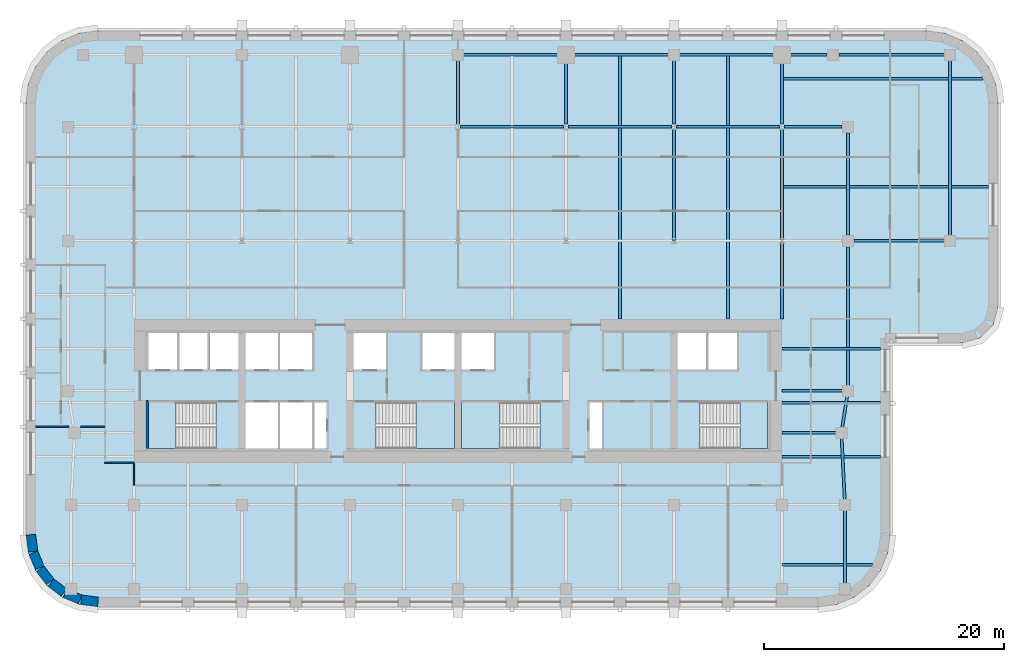
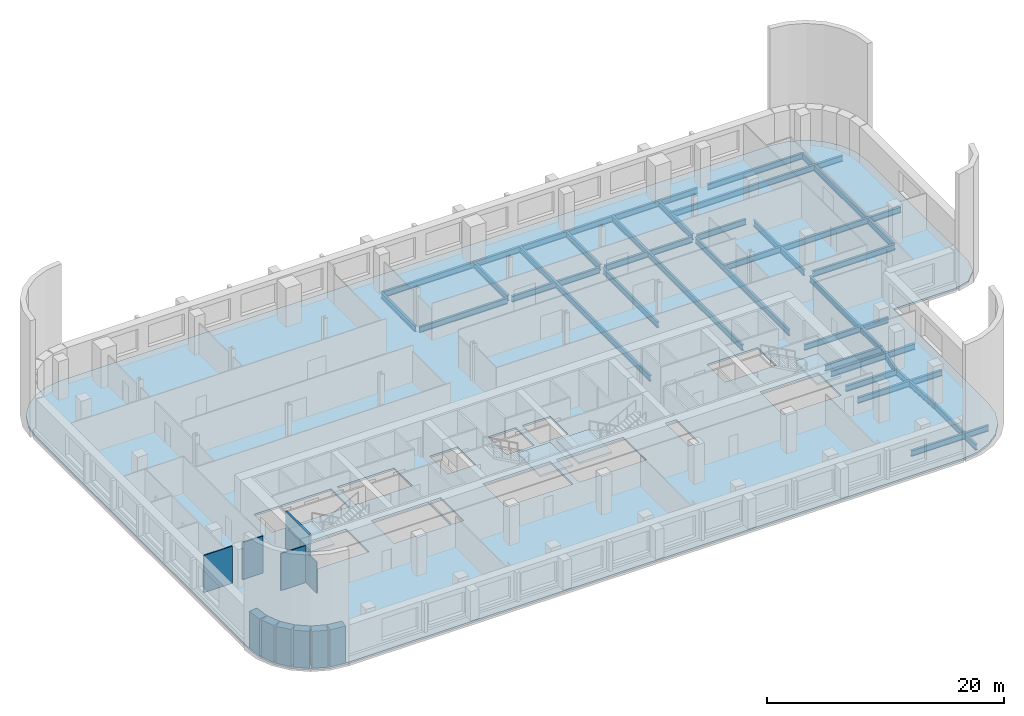
# One storey, part 2 of 10: 30 beams, 11 walls, 5 slabs, 4 elements without a shape of their own.
"""IFC4 building model written with IfcOpenShell, lengths in metres."""

from ifc_helpers import new_model, si_unit, direction, frame, frame_2d, origin, origin_2d, place, context, subcontext, project, spatial, polyline, rectangle, i_section, outline, extrude, material, layer, layer_set, material_profile, profile_set, type_object, element, aggregate, save


model = new_model("IFC4")

# Units and contexts
model_context = context("Model", 3, precision=1e-05, world=origin(), true_north=direction((0.0, 1.0)))
body_context = subcontext(model_context, "Body", "Model", "MODEL_VIEW")
ifc_project = project(units=[si_unit("LENGTHUNIT", "METRE"), si_unit("AREAUNIT", "SQUARE_METRE"), si_unit("VOLUMEUNIT", "CUBIC_METRE"), si_unit("PLANEANGLEUNIT", "RADIAN"), si_unit("MASSUNIT", "GRAM", prefix="KILO")], contexts=[model_context])

# Site, building, storey
site_placement = place(None, origin())
site = spatial("IfcSite", under=ifc_project, at=site_placement, CompositionType="ELEMENT")
building_placement = place(site_placement, origin())
building = spatial("IfcBuilding", under=site, at=building_placement, Name="Zellij Exchange Tower", CompositionType="ELEMENT")
storey_placement = place(building_placement, frame((0.0, 0.0, 120.5)))
storey = spatial("IfcBuildingStorey", under=building, at=storey_placement, Name="L26", CompositionType="ELEMENT", Elevation=120.5)

# Beams
ifc_material_1 = material(Name="Structural steel ASTM A992 Gr 50", Category="steel")
ifc_material_profile_1 = material_profile(ifc_material_1, i_section(OverallWidth=0.227783203125, OverallDepth=0.60205078125, WebThickness=0.010498046875, FlangeThickness=0.014892578125, at=origin_2d()), Name="W24x68")
ifc_profile_set_1 = profile_set([ifc_material_profile_1], Name="Structural steel ASTM A992 Gr 50")
beam_type_1 = type_object("IfcBeamType", Name="STR-BEAM W24x68", PredefinedType="BEAM", material=ifc_profile_set_1)
for number, where, z_axis, x_axis, name in (
    (1, (13.5, -2.0, -0.5009765625), (0.0, 1.0, 0.0), (-1.0, 0.0, 0.0), "B5"),
    (2, (22.5, -2.0, -0.5009765625), (0.0, 1.0, 0.0), (-1.0, 0.0, 0.0), "B5"),
):
    element("IfcBeam", number, at=place(storey_placement, frame(where, z_axis=z_axis, x_axis=x_axis)), inside=storey, type_object=beam_type_1, Name=name, PredefinedType="BEAM", context=body_context, shape_type="SweptSolid", body=[
        extrude(i_section(OverallWidth=0.227783203125, OverallDepth=0.60205078125, WebThickness=0.010498046875, FlangeThickness=0.014892578125, at=origin_2d()), origin(), (0.0, 0.0, 1.0), 22.114501953125),
    ])
beam_1_placement = place(storey_placement, frame((27.0, -22.5, -0.5009765625), z_axis=(1.0, 0.0, 0.0), x_axis=(0.0, 1.0, 0.0)))
element("IfcBeam", 3, at=beam_1_placement, inside=storey, type_object=beam_type_1, Name="B5", PredefinedType="BEAM", context=body_context, shape_type="SweptSolid", body=[
    extrude(i_section(OverallWidth=0.227783203125, OverallDepth=0.60205078125, WebThickness=0.010498046875, FlangeThickness=0.014892578125, at=origin_2d()), origin(), (0.0, 0.0, 1.0), 7.537109375),
])
for number, where, z_axis, x_axis, name in (
    (4, (27.0, -13.5, -0.5009765625), (1.0, 0.0, 0.0), (0.0, 1.0, 0.0), "B5"),
    (5, (27.0, -9.0, -0.5009765625), (1.0, 0.0, 0.0), (0.0, 1.0, 0.0), "B5"),
    (6, (27.0, -4.5, -0.5009765625), (1.0, 0.0, 0.0), (0.0, 1.0, 0.0), "B5"),
):
    element("IfcBeam", number, at=place(storey_placement, frame(where, z_axis=z_axis, x_axis=x_axis)), inside=storey, type_object=beam_type_1, Name=name, PredefinedType="BEAM", context=body_context, shape_type="SweptSolid", body=[
        extrude(i_section(OverallWidth=0.227783203125, OverallDepth=0.60205078125, WebThickness=0.010498046875, FlangeThickness=0.014892578125, at=origin_2d()), origin(), (0.0, 0.0, 1.0), 8.199951171875),
    ])
beam_2_placement = place(storey_placement, frame((27.0, 9.0, -0.5009765625), z_axis=(1.0, 0.0, 0.0), x_axis=(0.0, 1.0, 0.0)))
element("IfcBeam", 7, at=beam_2_placement, inside=storey, type_object=beam_type_1, Name="B5", PredefinedType="BEAM", context=body_context, shape_type="SweptSolid", body=[
    extrude(i_section(OverallWidth=0.227783203125, OverallDepth=0.60205078125, WebThickness=0.010498046875, FlangeThickness=0.014892578125, at=origin_2d()), origin(), (0.0, 0.0, 1.0), 17.199951171875),
])
beam_3_placement = place(storey_placement, frame((27.0, 18.0, -0.5009765625), z_axis=(1.0, 0.0, 0.0), x_axis=(0.0, 1.0, 0.0)))
element("IfcBeam", 8, at=beam_3_placement, inside=storey, type_object=beam_type_1, Name="B5", PredefinedType="BEAM", context=body_context, shape_type="SweptSolid", body=[
    extrude(i_section(OverallWidth=0.227783203125, OverallDepth=0.60205078125, WebThickness=0.010498046875, FlangeThickness=0.014892578125, at=origin_2d()), origin(), (0.0, 0.0, 1.0), 16.743896484375),
])
ifc_material_profile_2 = material_profile(ifc_material_1, i_section(OverallWidth=0.22900390625, OverallDepth=0.612060546875, WebThickness=0.011962890625, FlangeThickness=0.01953125, at=origin_2d()), Name="W24x84")
ifc_profile_set_2 = profile_set([ifc_material_profile_2], Name="Structural steel ASTM A992 Gr 50")
beam_type_2 = type_object("IfcBeamType", Name="STR-EDGE GIRDER W24x84", PredefinedType="BEAM", material=ifc_profile_set_2)
beam_4_placement = place(storey_placement, frame((32.25, -24.5, -0.506103515625), z_axis=(0.0, 1.0, 0.0), x_axis=(-1.0, 0.0, 0.0)))
element("IfcBeam", 9, at=beam_4_placement, inside=storey, type_object=beam_type_2, Name="EB6", PredefinedType="BEAM", context=body_context, shape_type="SweptSolid", body=[
    extrude(i_section(OverallWidth=0.22900390625, OverallDepth=0.612060546875, WebThickness=0.011962890625, FlangeThickness=0.01953125, at=origin_2d()), origin(), (0.0, 0.0, 1.0), 7.0),
])
beam_5_placement = place(storey_placement, frame((32.25, -17.5, -0.506103515625), z_axis=(-0.049945724537, 0.998751933465, 0.0), x_axis=(-0.998751933465, -0.049945724537, 0.0)))
element("IfcBeam", 10, at=beam_5_placement, inside=storey, type_object=beam_type_2, Name="EB6", PredefinedType="BEAM", context=body_context, shape_type="SweptSolid", body=[
    extrude(i_section(OverallWidth=0.22900390625, OverallDepth=0.612060546875, WebThickness=0.011962890625, FlangeThickness=0.01953125, at=origin_2d()), origin(), (0.0, 0.0, 1.0), 6.007568359375),
])
beam_6_placement = place(storey_placement, frame((31.949951171875, -11.5, -0.506103515625), z_axis=(0.155251283593, 0.987875011802, 0.0), x_axis=(-0.987875011802, 0.155251283593, 0.0)))
element("IfcBeam", 11, at=beam_6_placement, inside=storey, type_object=beam_type_2, Name="EB6", PredefinedType="BEAM", context=body_context, shape_type="SweptSolid", body=[
    extrude(i_section(OverallWidth=0.22900390625, OverallDepth=0.612060546875, WebThickness=0.011962890625, FlangeThickness=0.01953125, at=origin_2d()), origin(), (0.0, 0.0, 1.0), 3.54296875),
])
beam_7_placement = place(storey_placement, frame((32.5, -8.0, -0.506103515625), z_axis=(0.0, 1.0, 0.0), x_axis=(-1.0, 0.0, 0.0)))
element("IfcBeam", 12, at=beam_7_placement, inside=storey, type_object=beam_type_2, Name="EB6", PredefinedType="BEAM", context=body_context, shape_type="SweptSolid", body=[
    extrude(i_section(OverallWidth=0.22900390625, OverallDepth=0.612060546875, WebThickness=0.011962890625, FlangeThickness=0.01953125, at=origin_2d()), origin(), (0.0, 0.0, 1.0), 12.0),
])
beam_8_placement = place(storey_placement, frame((32.5, 5.0, -0.506103515625), z_axis=(0.0, 1.0, 0.0), x_axis=(-1.0, 0.0, 0.0)))
element("IfcBeam", 13, at=beam_8_placement, inside=storey, type_object=beam_type_2, Name="EB6", PredefinedType="BEAM", context=body_context, shape_type="SweptSolid", body=[
    extrude(i_section(OverallWidth=0.22900390625, OverallDepth=0.612060546875, WebThickness=0.011962890625, FlangeThickness=0.01953125, at=origin_2d()), origin(), (0.0, 0.0, 1.0), 8.5),
])
beam_9_placement = place(storey_placement, frame((41.0, 4.5, -0.506103515625), z_axis=(0.0, 1.0, 0.0), x_axis=(-1.0, 0.0, 0.0)))
element("IfcBeam", 14, at=beam_9_placement, inside=storey, type_object=beam_type_2, Name="EB6", PredefinedType="BEAM", context=body_context, shape_type="SweptSolid", body=[
    extrude(i_section(OverallWidth=0.22900390625, OverallDepth=0.612060546875, WebThickness=0.011962890625, FlangeThickness=0.01953125, at=origin_2d()), origin(), (0.0, 0.0, 1.0), 15.5),
])
ifc_material_profile_3 = material_profile(ifc_material_1, i_section(OverallWidth=0.22900390625, OverallDepth=0.612060546875, WebThickness=0.011962890625, FlangeThickness=0.01953125, at=origin_2d()), Name="W24x84")
ifc_profile_set_3 = profile_set([ifc_material_profile_3], Name="Structural steel ASTM A992 Gr 50")
beam_type_3 = type_object("IfcBeamType", Name="STR-GIRDER W24x84", PredefinedType="BEAM", material=ifc_profile_set_3)
beam_10_placement = place(storey_placement, frame((27.0, -11.5, -0.506103515625), z_axis=(1.0, 0.0, 0.0), x_axis=(0.0, 1.0, 0.0)))
element("IfcBeam", 15, at=beam_10_placement, inside=storey, type_object=beam_type_3, Name="G4", PredefinedType="BEAM", context=body_context, shape_type="SweptSolid", body=[
    extrude(i_section(OverallWidth=0.22900390625, OverallDepth=0.612060546875, WebThickness=0.011962890625, FlangeThickness=0.01953125, at=origin_2d()), origin(), (0.0, 0.0, 1.0), 4.949951171875),
])
beam_11_placement = place(storey_placement, frame((27.0, -8.0, -0.506103515625), z_axis=(1.0, 0.0, 0.0), x_axis=(0.0, 1.0, 0.0)))
element("IfcBeam", 16, at=beam_11_placement, inside=storey, type_object=beam_type_3, Name="G4", PredefinedType="BEAM", context=body_context, shape_type="SweptSolid", body=[
    extrude(i_section(OverallWidth=0.22900390625, OverallDepth=0.612060546875, WebThickness=0.011962890625, FlangeThickness=0.01953125, at=origin_2d()), origin(), (0.0, 0.0, 1.0), 5.5),
])
beam_12_placement = place(storey_placement, frame((33.0, 4.5, -0.506103515625), z_axis=(1.0, 0.0, 0.0), x_axis=(0.0, 1.0, 0.0)))
element("IfcBeam", 17, at=beam_12_placement, inside=storey, type_object=beam_type_3, Name="G4", PredefinedType="BEAM", context=body_context, shape_type="SweptSolid", body=[
    extrude(i_section(OverallWidth=0.22900390625, OverallDepth=0.612060546875, WebThickness=0.011962890625, FlangeThickness=0.01953125, at=origin_2d()), origin(), (0.0, 0.0, 1.0), 8.0),
])
beam_13_placement = place(storey_placement, frame((0.20947265625, 14.0, -0.506103515625), z_axis=(1.0, 0.0, 0.0), x_axis=(0.0, 1.0, 0.0)))
element("IfcBeam", 18, at=beam_13_placement, inside=storey, type_object=beam_type_3, Name="G4", PredefinedType="BEAM", context=body_context, shape_type="SweptSolid", body=[
    extrude(i_section(OverallWidth=0.22900390625, OverallDepth=0.612060546875, WebThickness=0.011962890625, FlangeThickness=0.01953125, at=origin_2d()), origin(), (0.0, 0.0, 1.0), 8.580810546875),
])
for number, where, z_axis, x_axis, name in (
    (19, (9.209716796875, 14.0, -0.506103515625), (1.0, 0.0, 0.0), (0.0, 1.0, 0.0), "G4"),
    (20, (18.209716796875, 14.0, -0.506103515625), (1.0, 0.0, 0.0), (0.0, 1.0, 0.0), "G4"),
):
    element("IfcBeam", number, at=place(storey_placement, frame(where, z_axis=z_axis, x_axis=x_axis)), inside=storey, type_object=beam_type_3, Name=name, PredefinedType="BEAM", context=body_context, shape_type="SweptSolid", body=[
        extrude(i_section(OverallWidth=0.22900390625, OverallDepth=0.612060546875, WebThickness=0.011962890625, FlangeThickness=0.01953125, at=origin_2d()), origin(), (0.0, 0.0, 1.0), 8.58056640625),
    ])
beam_14_placement = place(storey_placement, frame((27.209716796875, 14.0, -0.506103515625), z_axis=(1.0, 0.0, 0.0), x_axis=(0.0, 1.0, 0.0)))
element("IfcBeam", 21, at=beam_14_placement, inside=storey, type_object=beam_type_3, Name="G4", PredefinedType="BEAM", context=body_context, shape_type="SweptSolid", body=[
    extrude(i_section(OverallWidth=0.22900390625, OverallDepth=0.612060546875, WebThickness=0.011962890625, FlangeThickness=0.01953125, at=origin_2d()), origin(), (0.0, 0.0, 1.0), 4.790283203125),
])
beam_15_placement = place(storey_placement, frame((0.0, 20.0, -0.506103515625), z_axis=(1.0, 0.0, 0.0), x_axis=(0.0, 1.0, 0.0)))
element("IfcBeam", 22, at=beam_15_placement, inside=storey, type_object=beam_type_3, Name="G4", PredefinedType="BEAM", context=body_context, shape_type="SweptSolid", body=[
    extrude(i_section(OverallWidth=0.22900390625, OverallDepth=0.612060546875, WebThickness=0.011962890625, FlangeThickness=0.01953125, at=origin_2d()), origin(), (0.0, 0.0, 1.0), 18.0),
])
beam_16_placement = place(storey_placement, frame((18.0, 20.0, -0.506103515625), z_axis=(1.0, 0.0, 0.0), x_axis=(0.0, 1.0, 0.0)))
element("IfcBeam", 23, at=beam_16_placement, inside=storey, type_object=beam_type_3, Name="G4", PredefinedType="BEAM", context=body_context, shape_type="SweptSolid", body=[
    extrude(i_section(OverallWidth=0.22900390625, OverallDepth=0.612060546875, WebThickness=0.011962890625, FlangeThickness=0.01953125, at=origin_2d()), origin(), (0.0, 0.0, 1.0), 12.75),
])
beam_17_placement = place(storey_placement, frame((31.75, 20.0, -0.506103515625), z_axis=(1.0, 0.0, 0.0), x_axis=(0.0, 1.0, 0.0)))
element("IfcBeam", 24, at=beam_17_placement, inside=storey, type_object=beam_type_3, Name="G4", PredefinedType="BEAM", context=body_context, shape_type="SweptSolid", body=[
    extrude(i_section(OverallWidth=0.22900390625, OverallDepth=0.612060546875, WebThickness=0.011962890625, FlangeThickness=0.01953125, at=origin_2d()), origin(), (0.0, 0.0, 1.0), 9.25),
])
for number, where, z_axis, x_axis, name in (
    (25, (0.0, 14.227294921875, -0.506103515625), (0.0, 1.0, 0.0), (-1.0, 0.0, 0.0), "G4"),
    (26, (9.0, 14.227294921875, -0.506103515625), (0.0, 1.0, 0.0), (-1.0, 0.0, 0.0), "G4"),
):
    element("IfcBeam", number, at=place(storey_placement, frame(where, z_axis=z_axis, x_axis=x_axis)), inside=storey, type_object=beam_type_3, Name=name, PredefinedType="BEAM", context=body_context, shape_type="SweptSolid", body=[
        extrude(i_section(OverallWidth=0.22900390625, OverallDepth=0.612060546875, WebThickness=0.011962890625, FlangeThickness=0.01953125, at=origin_2d()), origin(), (0.0, 0.0, 1.0), 5.772705078125),
    ])
beam_18_placement = place(storey_placement, frame((18.0, 4.5, -0.506103515625), z_axis=(0.0, 1.0, 0.0), x_axis=(-1.0, 0.0, 0.0)))
element("IfcBeam", 27, at=beam_18_placement, inside=storey, type_object=beam_type_3, Name="G4", PredefinedType="BEAM", context=body_context, shape_type="SweptSolid", body=[
    extrude(i_section(OverallWidth=0.22900390625, OverallDepth=0.612060546875, WebThickness=0.011962890625, FlangeThickness=0.01953125, at=origin_2d()), origin(), (0.0, 0.0, 1.0), 9.272705078125),
])
beam_19_placement = place(storey_placement, frame((18.0, 14.227294921875, -0.506103515625), z_axis=(0.0, 1.0, 0.0), x_axis=(-1.0, 0.0, 0.0)))
element("IfcBeam", 28, at=beam_19_placement, inside=storey, type_object=beam_type_3, Name="G4", PredefinedType="BEAM", context=body_context, shape_type="SweptSolid", body=[
    extrude(i_section(OverallWidth=0.22900390625, OverallDepth=0.612060546875, WebThickness=0.011962890625, FlangeThickness=0.01953125, at=origin_2d()), origin(), (0.0, 0.0, 1.0), 5.772705078125),
])
beam_20_placement = place(storey_placement, frame((27.0, -2.0, -0.506103515625), z_axis=(0.0, 1.0, 0.0), x_axis=(-1.0, 0.0, 0.0)))
element("IfcBeam", 29, at=beam_20_placement, inside=storey, type_object=beam_type_3, Name="G4", PredefinedType="BEAM", context=body_context, shape_type="SweptSolid", body=[
    extrude(i_section(OverallWidth=0.22900390625, OverallDepth=0.612060546875, WebThickness=0.011962890625, FlangeThickness=0.01953125, at=origin_2d()), origin(), (0.0, 0.0, 1.0), 15.772705078125),
])
beam_21_placement = place(storey_placement, frame((27.0, 14.227294921875, -0.506103515625), z_axis=(0.0, 1.0, 0.0), x_axis=(-1.0, 0.0, 0.0)))
element("IfcBeam", 30, at=beam_21_placement, inside=storey, type_object=beam_type_3, Name="G4", PredefinedType="BEAM", context=body_context, shape_type="SweptSolid", body=[
    extrude(i_section(OverallWidth=0.22900390625, OverallDepth=0.612060546875, WebThickness=0.011962890625, FlangeThickness=0.01953125, at=origin_2d()), origin(), (0.0, 0.0, 1.0), 5.772705078125),
])

# Stair, slab
ifc_material_2 = material(Name="Concrete C40/50", Category="concrete")
stair_type = type_object("IfcStairType", Name="CORE-ST exit stair 1850 wide", PredefinedType="HALF_TURN_STAIR", material=ifc_material_2)
stair_1_placement = place(storey_placement, origin())
stair_1 = element("IfcStair", 31, at=stair_1_placement, inside=storey, type_object=stair_type, Name="L26 exit stair ST1", PredefinedType="HALF_TURN_STAIR")
ifc_layer_1 = layer(ifc_material_2, 0.199951171875)
ifc_layer_set_1 = layer_set([ifc_layer_1], Name="Concrete C40/50")
slab_type_1 = type_object("IfcSlabType", Name="CORE-SL stair landing 200", PredefinedType="LANDING", material=ifc_layer_set_1)
slab_1_placement = place(storey_placement, frame((0.0, 0.0, 1.800048828125)))
slab_1 = element("IfcSlab", 32, at=slab_1_placement, type_object=slab_type_1, Name="ST1 landing 1", PredefinedType="LANDING", context=body_context, shape_type="SweptSolid", body=[
    extrude(outline(polyline([(-23.510009765625, -8.949951171875), (-25.800048828125, -8.949951171875), (-25.800048828125, -12.800048828125), (-23.510009765625, -12.800048828125), (-23.510009765625, -8.949951171875)])), origin(), (0.0, 0.0, 1.0), 0.199951171875),
])
aggregate(stair_1, [slab_1])

stair_2_placement = place(storey_placement, origin())
stair_2 = element("IfcStair", 33, at=stair_2_placement, inside=storey, type_object=stair_type, Name="L26 exit stair ST2", PredefinedType="HALF_TURN_STAIR")
slab_2_placement = place(storey_placement, frame((0.0, 0.0, 1.800048828125)))
slab_2 = element("IfcSlab", 34, at=slab_2_placement, type_object=slab_type_1, Name="ST2 landing 1", PredefinedType="LANDING", context=body_context, shape_type="SweptSolid", body=[
    extrude(outline(polyline([(-3.489990234375, -12.800048828125), (-0.300048828125, -12.800048828125), (-0.300048828125, -8.949951171875), (-3.489990234375, -8.949951171875), (-3.489990234375, -12.800048828125)])), origin(), (0.0, 0.0, 1.0), 0.199951171875),
])
aggregate(stair_2, [slab_2])

stair_3_placement = place(storey_placement, origin())
stair_3 = element("IfcStair", 35, at=stair_3_placement, inside=storey, type_object=stair_type, Name="L26 exit stair ST3", PredefinedType="HALF_TURN_STAIR")
slab_3_placement = place(storey_placement, frame((0.0, 0.0, 1.800048828125)))
slab_3 = element("IfcSlab", 36, at=slab_3_placement, type_object=slab_type_1, Name="ST3 landing 1", PredefinedType="LANDING", context=body_context, shape_type="SweptSolid", body=[
    extrude(outline(polyline([(3.489990234375, -8.949951171875), (0.300048828125, -8.949951171875), (0.300048828125, -12.800048828125), (3.489990234375, -12.800048828125), (3.489990234375, -8.949951171875)])), origin(), (0.0, 0.0, 1.0), 0.199951171875),
])
aggregate(stair_3, [slab_3])

stair_4_placement = place(storey_placement, origin())
stair_4 = element("IfcStair", 37, at=stair_4_placement, inside=storey, type_object=stair_type, Name="L26 exit stair ST4", PredefinedType="HALF_TURN_STAIR")
slab_4_placement = place(storey_placement, frame((0.0, 0.0, 1.800048828125)))
slab_4 = element("IfcSlab", 38, at=slab_4_placement, type_object=slab_type_1, Name="ST4 landing 1", PredefinedType="LANDING", context=body_context, shape_type="SweptSolid", body=[
    extrude(outline(polyline([(23.510009765625, -12.800048828125), (25.800048828125, -12.800048828125), (25.800048828125, -8.949951171875), (23.510009765625, -8.949951171875), (23.510009765625, -12.800048828125)])), origin(), (0.0, 0.0, 1.0), 0.199951171875),
])
aggregate(stair_4, [slab_4])

# Slab
ifc_layer_2 = layer(ifc_material_2, 0.199951171875)
ifc_layer_set_2 = layer_set([ifc_layer_2], Name="Concrete C40/50")
slab_type_2 = type_object("IfcSlabType", Name="STR-FLOOR SLAB 200 C40/50", PredefinedType="FLOOR", material=ifc_layer_set_2)
slab_5_placement = place(storey_placement, frame((0.0, 0.0, -0.2001953125)))
element("IfcSlab", 39, at=slab_5_placement, inside=storey, type_object=slab_type_2, Name="Floor L26", PredefinedType="FLOOR", context=body_context, shape_type="SweptSolid", body=[
    extrude(outline(polyline([(35.795654296875, -21.552978515625), (35.1962890625, -23.0), (34.24267578125, -24.24267578125), (33.0, -25.1962890625), (31.552978515625, -25.795654296875), (30.0, -26.0), (-30.0, -26.0), (-31.552978515625, -25.795654296875), (-33.0, -25.1962890625), (-34.24267578125, -24.24267578125), (-35.1962890625, -23.0), (-35.795654296875, -21.552978515625), (-36.0, -20.0), (-36.0, 16.0), (-35.795654296875, 17.552978515625), (-35.1962890625, 19.0), (-34.24267578125, 20.24267578125), (-33.0, 21.1962890625), (-31.552978515625, 21.795654296875), (-30.0, 22.0), (39.0, 22.0), (40.552978515625, 21.795654296875), (42.0, 21.1962890625), (43.24267578125, 20.24267578125), (44.1962890625, 19.0), (44.795654296875, 17.552978515625), (45.0, 16.0), (45.0, -1.0), (44.59814453125, -2.5), (43.5, -3.59814453125), (42.0, -4.0), (36.0, -4.0), (36.0, -20.0), (35.795654296875, -21.552978515625)]), holes=[polyline([(-25.800048828125, -8.949951171875), (-25.800048828125, -12.800048828125), (-20.153076171875, -12.800048828125), (-20.153076171875, -8.949951171875), (-25.800048828125, -8.949951171875)]), polyline([(-12.14990234375, -8.949951171875), (-17.699951171875, -8.949951171875), (-17.699951171875, -12.800048828125), (-12.14990234375, -12.800048828125), (-12.14990234375, -8.949951171875)]), polyline([(-10.949951171875, -8.949951171875), (-12.0, -8.949951171875), (-12.0, -12.800048828125), (-10.949951171875, -12.800048828125), (-10.949951171875, -8.949951171875)]), polyline([(-23.39990234375, -3.199951171875), (-25.800048828125, -3.199951171875), (-25.800048828125, -6.22509765625), (-23.39990234375, -6.22509765625), (-23.39990234375, -3.199951171875)]), polyline([(-18.300048828125, -3.199951171875), (-23.25, -3.199951171875), (-23.25, -6.22509765625), (-18.300048828125, -6.22509765625), (-18.300048828125, -3.199951171875)]), polyline([(-12.14990234375, -3.199951171875), (-17.699951171875, -3.199951171875), (-17.699951171875, -6.22509765625), (-12.14990234375, -6.22509765625), (-12.14990234375, -3.199951171875)]), polyline([(-6.0, -3.199951171875), (-8.699951171875, -3.199951171875), (-8.699951171875, -6.22509765625), (-6.0, -6.22509765625), (-6.0, -3.199951171875)]), polyline([(-6.846923828125, -8.949951171875), (-6.846923828125, -12.800048828125), (-0.300048828125, -12.800048828125), (-0.300048828125, -8.949951171875), (-6.846923828125, -8.949951171875)]), polyline([(6.846923828125, -8.949951171875), (0.300048828125, -8.949951171875), (0.300048828125, -12.800048828125), (6.846923828125, -12.800048828125), (6.846923828125, -8.949951171875)]), polyline([(12.0, -8.949951171875), (10.949951171875, -8.949951171875), (10.949951171875, -12.800048828125), (12.0, -12.800048828125), (12.0, -8.949951171875)]), polyline([(25.800048828125, -8.949951171875), (20.153076171875, -8.949951171875), (20.153076171875, -12.800048828125), (25.800048828125, -12.800048828125), (25.800048828125, -8.949951171875)]), polyline([(-0.300048828125, -3.199951171875), (-3.0, -3.199951171875), (-3.0, -6.22509765625), (-0.300048828125, -6.22509765625), (-0.300048828125, -3.199951171875)]), polyline([(3.0, -3.199951171875), (0.300048828125, -3.199951171875), (0.300048828125, -6.22509765625), (3.0, -6.22509765625), (3.0, -3.199951171875)]), polyline([(23.25, -3.199951171875), (18.300048828125, -3.199951171875), (18.300048828125, -6.22509765625), (23.25, -6.22509765625), (23.25, -3.199951171875)])]), origin(), (0.0, 0.0, 1.0), 0.2001953125),
])

# Walls
ifc_material_3 = material(Name="Concrete C30/37", Category="concrete")
ifc_layer_3 = layer(ifc_material_3, 0.199951171875)
ifc_layer_set_3 = layer_set([ifc_layer_3], Name="Concrete C30/37")
wall_type_1 = type_object("IfcWallType", Name="CORE-LW 200 C30/37", PredefinedType="SHEAR", material=ifc_layer_set_3)
wall_1_placement = place(storey_placement, frame((-25.89990234375, -12.800048828125, 0.0), z_axis=(0.0, 0.0, 1.0), x_axis=(0.0, 1.0, 0.0)))
element("IfcWall", 40, at=wall_1_placement, inside=storey, type_object=wall_type_1, Name="Core wall lining end w.0 L26", PredefinedType="SHEAR", context=body_context, shape_type="SweptSolid", body=[
    extrude(rectangle(XDim=4.0, YDim=0.199951171875, at=frame_2d((2.0, 0.0))), origin(), (0.0, 0.0, 1.0), 3.800048828125),
])
ifc_material_4 = material(Name="Precast concrete C40/50", Category="concrete")
ifc_layer_4 = layer(ifc_material_4, 0.800048828125)
ifc_layer_set_4 = layer_set([ifc_layer_4], Name="Precast concrete C40/50")
wall_type_2 = type_object("IfcWallType", Name="ENV-EW1 Precast stone-piered wall 800", PredefinedType="SOLIDWALL", material=ifc_layer_set_4)
wall_2_placement = place(storey_placement, frame((-35.5966796875, -19.999755859375, 0.0), z_axis=(0.0, 0.0, 1.0), x_axis=(0.130517283865, -0.99144603414, 0.0)))
element("IfcWall", 41, at=wall_2_placement, inside=storey, type_object=wall_type_2, Name="fac.L26.27", PredefinedType="SOLIDWALL", context=body_context, shape_type="SweptSolid", body=[
    extrude(rectangle(XDim=1.408447265625, YDim=0.800048828125, at=frame_2d((0.7041015625, 0.0))), origin(), (0.0, 0.0, 1.0), 3.800048828125),
])
wall_3_placement = place(storey_placement, frame((-35.3857421875, -21.497314453125, 0.0), z_axis=(0.0, 0.0, 1.0), x_axis=(0.38276009378, -0.923847774587, 0.0)))
element("IfcWall", 42, at=wall_3_placement, inside=storey, type_object=wall_type_2, Name="fac.L26.28", PredefinedType="SOLIDWALL", context=body_context, shape_type="SweptSolid", body=[
    extrude(rectangle(XDim=1.35546875, YDim=0.800048828125, at=frame_2d((0.677734375, 0.0))), origin(), (0.0, 0.0, 1.0), 3.800048828125),
])
for number, where, z_axis, x_axis, name in (
    (43, (-34.814697265625, -22.840087890625, 0.0), (0.0, 0.0, 1.0), (0.608866226366, -0.793272915452, 0.0), "fac.L26.29"),
    (44, (-33.91552734375, -23.9892578125, 0.0), (0.0, 0.0, 1.0), (0.793272915452, -0.608866226366, 0.0), "fac.L26.30"),
):
    element("IfcWall", number, at=place(storey_placement, frame(where, z_axis=z_axis, x_axis=x_axis)), inside=storey, type_object=wall_type_2, Name=name, PredefinedType="SOLIDWALL", context=body_context, shape_type="SweptSolid", body=[
        extrude(rectangle(XDim=1.355712890625, YDim=0.800048828125, at=frame_2d((0.677734375, 0.0))), origin(), (0.0, 0.0, 1.0), 3.800048828125),
    ])
wall_4_placement = place(storey_placement, frame((-32.74951171875, -24.866943359375, 0.0), z_axis=(0.0, 0.0, 1.0), x_axis=(0.923847774587, -0.38276009378, 0.0)))
element("IfcWall", 45, at=wall_4_placement, inside=storey, type_object=wall_type_2, Name="fac.L26.31", PredefinedType="SOLIDWALL", context=body_context, shape_type="SweptSolid", body=[
    extrude(rectangle(XDim=1.35546875, YDim=0.800048828125, at=frame_2d((0.677734375, 0.0))), origin(), (0.0, 0.0, 1.0), 3.800048828125),
])
wall_5_placement = place(storey_placement, frame((-31.396240234375, -25.412841796875, 0.0), z_axis=(0.0, 0.0, 1.0), x_axis=(0.99144603414, -0.130517283865, 0.0)))
element("IfcWall", 46, at=wall_5_placement, inside=storey, type_object=wall_type_2, Name="fac.L26.32", PredefinedType="SOLIDWALL", context=body_context, shape_type="SweptSolid", body=[
    extrude(rectangle(XDim=1.408447265625, YDim=0.800048828125, at=frame_2d((0.7041015625, 0.0))), origin(), (0.0, 0.0, 1.0), 3.800048828125),
])
ifc_material_5 = material(Name="Gypsum board partition on steel studs", Category="steel")
ifc_layer_5 = layer(ifc_material_5, 0.10009765625)
ifc_layer_set_5 = layer_set([ifc_layer_5], Name="Gypsum board partition on steel studs")
wall_type_3 = type_object("IfcWallType", Name="FIT-PARTITION-100", PredefinedType="PARTITIONING", material=ifc_layer_set_5)
wall_6_placement = place(storey_placement, frame((-27.0, -15.85009765625, 0.0), z_axis=(0.0, 0.0, 1.0), x_axis=(0.0, 1.0, 0.0)))
element("IfcWall", 47, at=wall_6_placement, inside=storey, type_object=wall_type_3, Name="FIT-PARTITION-100 008", PredefinedType="PARTITIONING", context=body_context, shape_type="SweptSolid", body=[
    extrude(rectangle(XDim=1.800048828125, YDim=0.10009765625, at=frame_2d((0.89990234375, 0.0))), origin(), (0.0, 0.0, 1.0), 3.18798828125),
])
wall_7_placement = place(storey_placement, frame((-29.449951171875, -14.0, 0.0), z_axis=(0.0, 0.0, 1.0), x_axis=(1.0, 0.0, 0.0)))
element("IfcWall", 48, at=wall_7_placement, inside=storey, type_object=wall_type_3, Name="FIT-PARTITION-100 010", PredefinedType="PARTITIONING", context=body_context, shape_type="SweptSolid", body=[
    extrude(rectangle(XDim=2.449951171875, YDim=0.10009765625, at=frame_2d((1.22509765625, 0.0))), origin(), (0.0, 0.0, 1.0), 3.800048828125),
])
wall_8_placement = place(storey_placement, frame((-35.199951171875, -10.989990234375, 0.0), z_axis=(0.0, 0.0, 1.0), x_axis=(1.0, 0.0, 0.0)))
element("IfcWall", 49, at=wall_8_placement, inside=storey, type_object=wall_type_3, Name="FIT-PARTITION-100 014", PredefinedType="PARTITIONING", context=body_context, shape_type="SweptSolid", body=[
    extrude(rectangle(XDim=2.75, YDim=0.10009765625, at=frame_2d((1.375, 0.0))), origin(), (0.0, 0.0, 1.0), 3.800048828125),
])
wall_9_placement = place(storey_placement, frame((-31.449951171875, -10.989990234375, 0.0), z_axis=(0.0, 0.0, 1.0), x_axis=(1.0, 0.0, 0.0)))
element("IfcWall", 50, at=wall_9_placement, inside=storey, type_object=wall_type_3, Name="FIT-PARTITION-100 015", PredefinedType="PARTITIONING", context=body_context, shape_type="SweptSolid", body=[
    extrude(rectangle(XDim=2.0, YDim=0.10009765625, at=frame_2d((1.0, 0.0))), origin(), (0.0, 0.0, 1.0), 3.800048828125),
])

save(model, "model.ifc")
